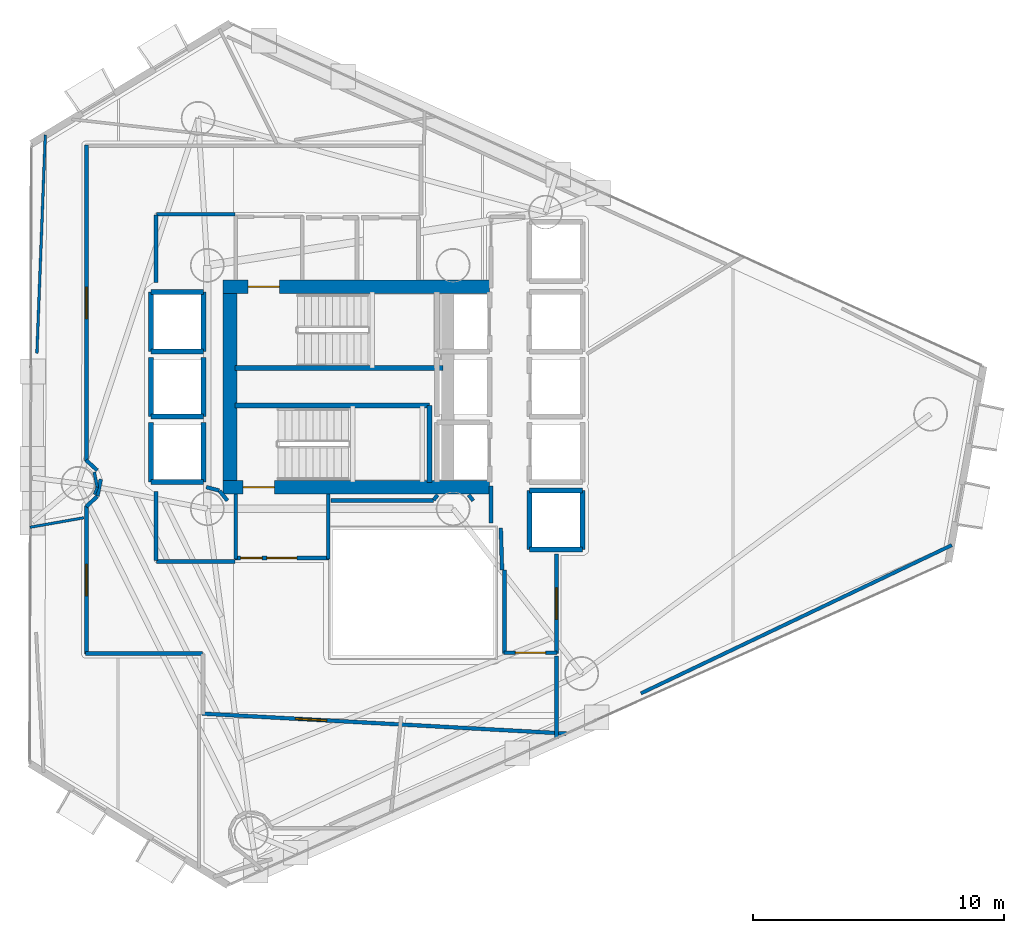
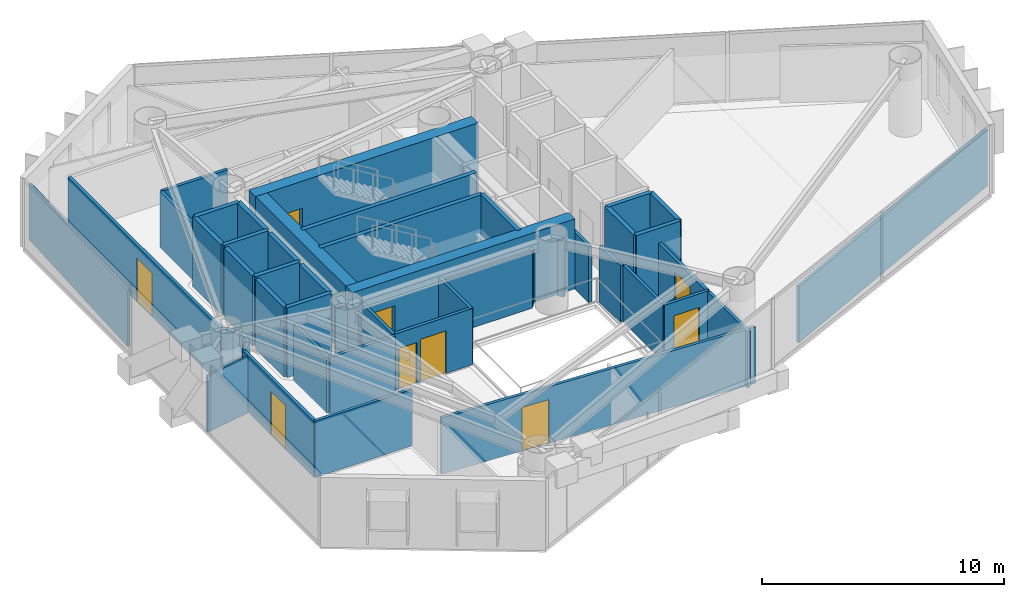
# One storey, part 18 of 23: 50 walls, 9 doors, 9 openings.
"""IFC4 building model written with IfcOpenShell, lengths in metres."""

from ifc_helpers import new_model, si_unit, direction, frame, frame_2d, origin, place, context, subcontext, project, spatial, rectangle, extrude, material, layer, layer_set, type_object, element, fill, save


model = new_model("IFC4")

# Units and contexts
model_context = context("Model", 3, precision=1e-05, world=origin(), true_north=direction((0.0, 1.0)))
body_context = subcontext(model_context, "Body", "Model", "MODEL_VIEW")
ifc_project = project(units=[si_unit("LENGTHUNIT", "METRE"), si_unit("AREAUNIT", "SQUARE_METRE"), si_unit("VOLUMEUNIT", "CUBIC_METRE"), si_unit("PLANEANGLEUNIT", "RADIAN"), si_unit("MASSUNIT", "GRAM", prefix="KILO")], contexts=[model_context])

# Site, building, storey
site_placement = place(None, origin())
site = spatial("IfcSite", under=ifc_project, at=site_placement, CompositionType="ELEMENT")
building_placement = place(site_placement, origin())
building = spatial("IfcBuilding", under=site, at=building_placement, Name="Qianvela Tower", CompositionType="ELEMENT")
storey_placement = place(building_placement, frame((0.0, 0.0, 147.60009765625)))
storey = spatial("IfcBuildingStorey", under=building, at=storey_placement, Name="L37", CompositionType="ELEMENT", Elevation=147.60009765625)

# Wall, opening, door
ifc_material_1 = material(Name="Concrete C60", Category="concrete")
ifc_layer_1 = layer(ifc_material_1, 0.550048828125)
ifc_layer_set_1 = layer_set([ifc_layer_1], Name="Concrete C60")
wall_type_1 = type_object("IfcWallType", Name="WT-CORE-550", PredefinedType="SHEAR", material=ifc_layer_set_1)
wall_1_placement = place(storey_placement, frame((29.22998046875, 32.695068359375, 0.0), z_axis=(0.0, 0.0, 1.0), x_axis=(1.0, 0.0, 0.0)))
wall_1 = element("IfcWall", 1, at=wall_1_placement, inside=storey, type_object=wall_type_1, Name="L37 North Core Shear Wall", PredefinedType="SHEAR", context=body_context, shape_type="SweptSolid", body=[
    extrude(rectangle(XDim=10.6201171875, YDim=0.550048828125, at=frame_2d((5.31005859375, 0.0))), origin(), (0.0, 0.0, 1.0), 3.52001953125),
])
opening_1_placement = place(wall_1_placement, frame((0.9951171875, 0.0, 0.0)))
opening_1 = element("IfcOpeningElement", 2, at=opening_1_placement, cuts=wall_1, Name="Opening D-ST1", PredefinedType="OPENING", context=body_context, shape_type="SweptSolid", body=[
    extrude(rectangle(XDim=1.25, YDim=2.14990234375, at=frame_2d((0.625, 1.074951171875))), frame((0.0, 0.284912109375, 0.0), z_axis=(0.0, -1.0, 0.0), x_axis=(1.0, 0.0, 0.0)), (0.0, 0.0, 1.0), 0.570068359375),
])
ifc_material_2 = material(Name="Galvanised Fire Steel Q355B", Category="steel")
door_type_1 = type_object("IfcDoorType", Name="DT-STAIR-FD90", OperationType="NOTDEFINED", PredefinedType="DOOR", material=ifc_material_2)
door_1_placement = place(opening_1_placement, origin())
door_1 = element("IfcDoor", 3, at=door_1_placement, inside=storey, type_object=door_type_1, Name="L37 Stair ST-1 Exit Door", OperationType="SINGLE_SWING_RIGHT", OverallHeight=2.14990234375, OverallWidth=1.25, PredefinedType="DOOR", context=body_context, shape_type="SweptSolid", body=[
    extrude(rectangle(XDim=1.25, YDim=2.14990234375, at=frame_2d((0.625, 1.074951171875))), frame((0.0, 0.02490234375, 0.0), z_axis=(0.0, -1.0, 0.0), x_axis=(1.0, 0.0, 0.0)), (0.0, 0.0, 1.0), 0.050048828125),
])
fill(opening_1, door_1)

wall_2_placement = place(storey_placement, frame((29.22998046875, 24.705078125, 0.0), z_axis=(0.0, 0.0, 1.0), x_axis=(1.0, 0.0, 0.0)))
wall_2 = element("IfcWall", 4, at=wall_2_placement, inside=storey, type_object=wall_type_1, Name="L37 South Core Shear Wall", PredefinedType="SHEAR", context=body_context, shape_type="SweptSolid", body=[
    extrude(rectangle(XDim=10.6201171875, YDim=0.550048828125, at=frame_2d((5.31005859375, 0.0))), origin(), (0.0, 0.0, 1.0), 3.52001953125),
])
opening_2_placement = place(wall_2_placement, frame((0.794921875, 0.0, 0.0)))
opening_2 = element("IfcOpeningElement", 5, at=opening_2_placement, cuts=wall_2, Name="Opening D-ST1", PredefinedType="OPENING", context=body_context, shape_type="SweptSolid", body=[
    extrude(rectangle(XDim=1.25, YDim=2.14990234375, at=frame_2d((0.625, 1.074951171875))), frame((0.0, 0.284912109375, 0.0), z_axis=(0.0, -1.0, 0.0), x_axis=(1.0, 0.0, 0.0)), (0.0, 0.0, 1.0), 0.570068359375),
])
door_2_placement = place(opening_2_placement, origin())
door_2 = element("IfcDoor", 6, at=door_2_placement, inside=storey, type_object=door_type_1, Name="L37 Stair ST-2 Exit Door", OperationType="SINGLE_SWING_LEFT", OverallHeight=2.14990234375, OverallWidth=1.25, PredefinedType="DOOR", context=body_context, shape_type="SweptSolid", body=[
    extrude(rectangle(XDim=1.25, YDim=2.14990234375, at=frame_2d((0.625, 1.074951171875))), frame((0.0, 0.02490234375, 0.0), z_axis=(0.0, -1.0, 0.0), x_axis=(1.0, 0.0, 0.0)), (0.0, 0.0, 1.0), 0.050048828125),
])
fill(opening_2, door_2)

# Wall
wall_3_placement = place(storey_placement, frame((29.5048828125, 24.97998046875, 0.0), z_axis=(0.0, 0.0, 1.0), x_axis=(0.0, 1.0, 0.0)))
element("IfcWall", 7, at=wall_3_placement, inside=storey, type_object=wall_type_1, Name="L37 West Core Shear Wall", PredefinedType="SHEAR", context=body_context, shape_type="SweptSolid", body=[
    extrude(rectangle(XDim=7.43994140625, YDim=0.550048828125, at=frame_2d((3.719970703125, 0.0))), origin(), (0.0, 0.0, 1.0), 3.52001953125),
])

# Wall, openings, doors
ifc_material_3 = material(Name="Fire-Rated Acoustic Gypsum Board")
ifc_layer_2 = layer(ifc_material_3, 0.14990234375)
ifc_layer_set_2 = layer_set([ifc_layer_2], Name="Fire-Rated Acoustic Gypsum Board")
wall_type_2 = type_object("IfcWallType", Name="WT-CORR-150", PredefinedType="PARTITIONING", material=ifc_layer_set_2)
wall_4_placement = place(storey_placement, frame((33.449951171875, 21.881103515625, 0.0), z_axis=(0.0, 0.0, 1.0), x_axis=(-1.0, 0.0, 0.0)))
wall_4 = element("IfcWall", 8, at=wall_4_placement, inside=storey, type_object=wall_type_2, Name="L37 Partition 5", PredefinedType="PARTITIONING", context=body_context, shape_type="SweptSolid", body=[
    extrude(rectangle(XDim=3.75, YDim=0.14990234375, at=frame_2d((1.875, 0.0))), origin(), (0.0, 0.0, 1.0), 2.83984375),
])
opening_3_placement = place(wall_4_placement, frame((1.27490234375, 0.0, 0.0)))
opening_3 = element("IfcOpeningElement", 9, at=opening_3_placement, cuts=wall_4, Name="Opening D-LB1", PredefinedType="OPENING", context=body_context, shape_type="SweptSolid", body=[
    extrude(rectangle(XDim=1.199951171875, YDim=2.14990234375, at=frame_2d((0.60009765625, 1.074951171875))), frame((0.0, 0.0849609375, 0.0), z_axis=(0.0, -1.0, 0.0), x_axis=(1.0, 0.0, 0.0)), (0.0, 0.0, 1.0), 0.169921875),
])
opening_4_placement = place(wall_4_placement, frame((2.659912109375, 0.0, 0.0)))
opening_4 = element("IfcOpeningElement", 10, at=opening_4_placement, cuts=wall_4, Name="Opening D-LB2", PredefinedType="OPENING", context=body_context, shape_type="SweptSolid", body=[
    extrude(rectangle(XDim=0.860107421875, YDim=2.050048828125, at=frame_2d((0.43017578125, 1.02490234375))), frame((0.0, 0.0849609375, 0.0), z_axis=(0.0, -1.0, 0.0), x_axis=(1.0, 0.0, 0.0)), (0.0, 0.0, 1.0), 0.169921875),
])
ifc_material_4 = material(Name="Glazed Fire-Rated Steel Frame", Category="steel")
door_type_2 = type_object("IfcDoorType", Name="DT-LOBBY-FD90", OperationType="NOTDEFINED", PredefinedType="DOOR", material=ifc_material_4)
door_3_placement = place(opening_3_placement, origin())
door_3 = element("IfcDoor", 11, at=door_3_placement, inside=storey, type_object=door_type_2, Name="L37 Door L37 Firefighting Lobby South to L37 Floor Corridor", OperationType="SINGLE_SWING_RIGHT", OverallHeight=2.14990234375, OverallWidth=1.199951171875, PredefinedType="DOOR", context=body_context, shape_type="SweptSolid", body=[
    extrude(rectangle(XDim=1.199951171875, YDim=2.14990234375, at=frame_2d((0.60009765625, 1.074951171875))), frame((0.0, 0.02490234375, 0.0), z_axis=(0.0, -1.0, 0.0), x_axis=(1.0, 0.0, 0.0)), (0.0, 0.0, 1.0), 0.050048828125),
])
fill(opening_3, door_3)
ifc_material_5 = material(Name="Insulated Steel Fire Door Q355B", Category="steel")
door_type_3 = type_object("IfcDoorType", Name="DT-LOBBY-FD90-860", OperationType="NOTDEFINED", PredefinedType="DOOR", material=ifc_material_5)
door_4_placement = place(opening_4_placement, origin())
door_4 = element("IfcDoor", 12, at=door_4_placement, inside=storey, type_object=door_type_3, Name="L37 Door L37 Firefighting Lobby South to L37 Floor Corridor", OperationType="SINGLE_SWING_LEFT", OverallHeight=2.050048828125, OverallWidth=0.860107421875, PredefinedType="DOOR", context=body_context, shape_type="SweptSolid", body=[
    extrude(rectangle(XDim=0.860107421875, YDim=2.050048828125, at=frame_2d((0.43017578125, 1.02490234375))), frame((0.0, 0.02490234375, 0.0), z_axis=(0.0, -1.0, 0.0), x_axis=(1.0, 0.0, 0.0)), (0.0, 0.0, 1.0), 0.050048828125),
])
fill(opening_4, door_4)

# Walls
for number, where, z_axis, x_axis, name in (
    (13, (29.73095703125, 21.85009765625, 0.0), (0.0, 0.0, 1.0), (0.0, 1.0, 0.0), "L37 Partition 6"),
    (14, (33.4189453125, 24.44189453125, 0.0), (0.0, 0.0, 1.0), (0.0, -1.0, 0.0), "L37 Partition 8"),
):
    element("IfcWall", number, at=place(storey_placement, frame(where, z_axis=z_axis, x_axis=x_axis)), inside=storey, type_object=wall_type_2, Name=name, PredefinedType="PARTITIONING", context=body_context, shape_type="SweptSolid", body=[
        extrude(rectangle(XDim=2.591796875, YDim=0.14990234375, at=frame_2d((1.2958984375, 0.0))), origin(), (0.0, 0.0, 1.0), 2.83984375),
    ])
wall_5_placement = place(storey_placement, frame((40.35107421875, 21.40087890625, 0.0), z_axis=(0.0, 0.0, 1.0), x_axis=(-0.031058045979, 0.999517582527, 0.0)))
element("IfcWall", 15, at=wall_5_placement, inside=storey, type_object=wall_type_2, Name="L37 Partition 9", PredefinedType="PARTITIONING", context=body_context, shape_type="SweptSolid", body=[
    extrude(rectangle(XDim=1.68212890625, YDim=0.14990234375, at=frame_2d((0.841064453125, 0.0))), origin(), (0.0, 0.0, 1.0), 2.83984375),
])
wall_6_placement = place(storey_placement, frame((39.910888671875, 23.280029296875, 0.0), z_axis=(0.0, 0.0, 1.0), x_axis=(0.0, 1.0, 0.0)))
element("IfcWall", 16, at=wall_6_placement, inside=storey, type_object=wall_type_2, Name="L37 Partition 10", PredefinedType="PARTITIONING", context=body_context, shape_type="SweptSolid", body=[
    extrude(rectangle(XDim=1.47998046875, YDim=0.14990234375, at=frame_2d((0.739990234375, 0.0))), origin(), (0.0, 0.0, 1.0), 2.83984375),
])

# Wall, opening, door
wall_7_placement = place(storey_placement, frame((42.51904296875, 22.050048828125, 0.0), z_axis=(0.0, 0.0, 1.0), x_axis=(0.0, -1.0, 0.0)))
wall_7 = element("IfcWall", 17, at=wall_7_placement, inside=storey, type_object=wall_type_2, Name="L37 Partition 17", PredefinedType="PARTITIONING", context=body_context, shape_type="SweptSolid", body=[
    extrude(rectangle(XDim=3.969970703125, YDim=0.14990234375, at=frame_2d((1.98486328125, 0.0))), origin(), (0.0, 0.0, 1.0), 2.83984375),
])
opening_5_placement = place(wall_7_placement, frame((1.360107421875, 0.0, 0.0)))
opening_5 = element("IfcOpeningElement", 18, at=opening_5_placement, cuts=wall_7, Name="Opening D-LG1", PredefinedType="OPENING", context=body_context, shape_type="SweptSolid", body=[
    extrude(rectangle(XDim=1.25, YDim=2.199951171875, at=frame_2d((0.625, 1.10009765625))), frame((0.0, 0.0849609375, 0.0), z_axis=(0.0, -1.0, 0.0), x_axis=(1.0, 0.0, 0.0)), (0.0, 0.0, 1.0), 0.169921875),
])
ifc_material_6 = material(Name="Anodised Aluminium Acoustic Glass Door", Category="aluminium")
door_type_4 = type_object("IfcDoorType", Name="DT-LOUNGE-1250", OperationType="NOTDEFINED", PredefinedType="DOOR", material=ifc_material_6)
door_5_placement = place(opening_5_placement, origin())
door_5 = element("IfcDoor", 19, at=door_5_placement, inside=storey, type_object=door_type_4, Name="L37 Door Maker Craft Workshop L37-03 to L37 Lift Lobby", OperationType="SINGLE_SWING_RIGHT", OverallHeight=2.199951171875, OverallWidth=1.25, PredefinedType="DOOR", context=body_context, shape_type="SweptSolid", body=[
    extrude(rectangle(XDim=1.25, YDim=2.199951171875, at=frame_2d((0.625, 1.10009765625))), frame((0.0, 0.02490234375, 0.0), z_axis=(0.0, -1.0, 0.0), x_axis=(1.0, 0.0, 0.0)), (0.0, 0.0, 1.0), 0.050048828125),
])
fill(opening_5, door_5)

wall_8_placement = place(storey_placement, frame((42.550048828125, 18.111083984375, 0.0), z_axis=(0.0, 0.0, 1.0), x_axis=(-1.0, 0.0, 0.0)))
wall_8 = element("IfcWall", 20, at=wall_8_placement, inside=storey, type_object=wall_type_2, Name="L37 Partition 18", PredefinedType="PARTITIONING", context=body_context, shape_type="SweptSolid", body=[
    extrude(rectangle(XDim=2.130126953125, YDim=0.14990234375, at=frame_2d((1.06494140625, 0.0))), origin(), (0.0, 0.0, 1.0), 2.83984375),
])
opening_6_placement = place(wall_8_placement, frame((0.465087890625, 0.0, 0.0)))
opening_6 = element("IfcOpeningElement", 21, at=opening_6_placement, cuts=wall_8, Name="Opening D-LB1", PredefinedType="OPENING", context=body_context, shape_type="SweptSolid", body=[
    extrude(rectangle(XDim=1.199951171875, YDim=2.14990234375, at=frame_2d((0.60009765625, 1.074951171875))), frame((0.0, 0.0849609375, 0.0), z_axis=(0.0, -1.0, 0.0), x_axis=(1.0, 0.0, 0.0)), (0.0, 0.0, 1.0), 0.169921875),
])
door_6_placement = place(opening_6_placement, origin())
door_6 = element("IfcDoor", 22, at=door_6_placement, inside=storey, type_object=door_type_2, Name="L37 Door L37 Lift Lobby to L37 Floor Corridor", OperationType="SINGLE_SWING_LEFT", OverallHeight=2.14990234375, OverallWidth=1.199951171875, PredefinedType="DOOR", context=body_context, shape_type="SweptSolid", body=[
    extrude(rectangle(XDim=1.199951171875, YDim=2.14990234375, at=frame_2d((0.60009765625, 1.074951171875))), frame((0.0, 0.02490234375, 0.0), z_axis=(0.0, -1.0, 0.0), x_axis=(1.0, 0.0, 0.0)), (0.0, 0.0, 1.0), 0.050048828125),
])
fill(opening_6, door_6)

# Walls
wall_9_placement = place(storey_placement, frame((40.450927734375, 18.080078125, 0.0), z_axis=(0.0, 0.0, 1.0), x_axis=(0.0, 1.0, 0.0)))
element("IfcWall", 23, at=wall_9_placement, inside=storey, type_object=wall_type_2, Name="L37 Partition 19 seg 1", PredefinedType="PARTITIONING", context=body_context, shape_type="SweptSolid", body=[
    extrude(rectangle(XDim=3.31982421875, YDim=0.14990234375, at=frame_2d((1.659912109375, 0.0))), origin(), (0.0, 0.0, 1.0), 2.83984375),
])
wall_10_placement = place(storey_placement, frame((29.401611328125, 24.169189453125, 0.0), z_axis=(0.0, 0.0, 1.0), x_axis=(-0.622091855036, 0.782944266151, 0.0)))
element("IfcWall", 24, at=wall_10_placement, inside=storey, type_object=wall_type_2, Name="L37 Partition 32", PredefinedType="PARTITIONING", context=body_context, shape_type="SweptSolid", body=[
    extrude(rectangle(XDim=0.50390625, YDim=0.14990234375, at=frame_2d((0.251953125, 0.0))), origin(), (0.0, 0.0, 1.0), 2.83984375),
])
wall_11_placement = place(storey_placement, frame((29.07177734375, 24.57421875, 0.0), z_axis=(0.0, 0.0, 1.0), x_axis=(-0.966842101769, 0.255374920942, 0.0)))
element("IfcWall", 25, at=wall_11_placement, inside=storey, type_object=wall_type_2, Name="L37 Partition 33", PredefinedType="PARTITIONING", context=body_context, shape_type="SweptSolid", body=[
    extrude(rectangle(XDim=0.531494140625, YDim=0.14990234375, at=frame_2d((0.265625, 0.0))), origin(), (0.0, 0.0, 1.0), 2.83984375),
])
wall_12_placement = place(storey_placement, frame((39.20166015625, 24.169189453125, 0.0), z_axis=(0.0, 0.0, 1.0), x_axis=(-0.622453876994, 0.782656483405, 0.0)))
element("IfcWall", 26, at=wall_12_placement, inside=storey, type_object=wall_type_2, Name="L37 Partition 39", PredefinedType="PARTITIONING", context=body_context, shape_type="SweptSolid", body=[
    extrude(rectangle(XDim=0.29248046875, YDim=0.14990234375, at=frame_2d((0.146240234375, 0.0))), origin(), (0.0, 0.0, 1.0), 2.83984375),
])
wall_13_placement = place(storey_placement, frame((37.780517578125, 24.398193359375, 0.0), z_axis=(0.0, 0.0, 1.0), x_axis=(-0.622697708845, -0.782462499676, 0.0)))
element("IfcWall", 27, at=wall_13_placement, inside=storey, type_object=wall_type_2, Name="L37 Partition 42", PredefinedType="PARTITIONING", context=body_context, shape_type="SweptSolid", body=[
    extrude(rectangle(XDim=0.253662109375, YDim=0.14990234375, at=frame_2d((0.126953125, 0.0))), origin(), (0.0, 0.0, 1.0), 2.83984375),
])
wall_14_placement = place(storey_placement, frame((37.62255859375, 24.180908203125, 0.0), z_axis=(0.0, 0.0, 1.0), x_axis=(-1.0, 0.0, 0.0)))
element("IfcWall", 28, at=wall_14_placement, inside=storey, type_object=wall_type_2, Name="L37 Partition 43", PredefinedType="PARTITIONING", context=body_context, shape_type="SweptSolid", body=[
    extrude(rectangle(XDim=4.092529296875, YDim=0.14990234375, at=frame_2d((2.04638671875, 0.0))), origin(), (0.0, 0.0, 1.0), 2.83984375),
])
wall_15_placement = place(storey_placement, frame((24.211181640625, 25.37890625, 0.0), z_axis=(0.0, 0.0, 1.0), x_axis=(-0.735475561179, 0.677551251868, 0.0)))
element("IfcWall", 29, at=wall_15_placement, inside=storey, type_object=wall_type_2, Name="L37 Partition 44", PredefinedType="PARTITIONING", context=body_context, shape_type="SweptSolid", body=[
    extrude(rectangle(XDim=0.598388671875, YDim=0.14990234375, at=frame_2d((0.29931640625, 0.0))), origin(), (0.0, 0.0, 1.0), 2.83984375),
])

# Wall, opening, door
wall_16_placement = place(storey_placement, frame((23.781005859375, 25.76171875, 0.0), z_axis=(0.0, 0.0, 1.0), x_axis=(0.0, 1.0, 0.0)))
wall_16 = element("IfcWall", 30, at=wall_16_placement, inside=storey, type_object=wall_type_2, Name="L37 Partition 45", PredefinedType="PARTITIONING", context=body_context, shape_type="SweptSolid", body=[
    extrude(rectangle(XDim=12.58837890625, YDim=0.14990234375, at=frame_2d((6.294189453125, 0.0))), origin(), (0.0, 0.0, 1.0), 2.83984375),
])
opening_7_placement = place(wall_16_placement, frame((5.669189453125, 0.0, 0.0)))
opening_7 = element("IfcOpeningElement", 31, at=opening_7_placement, cuts=wall_16, Name="Opening D-LG1", PredefinedType="OPENING", context=body_context, shape_type="SweptSolid", body=[
    extrude(rectangle(XDim=1.25, YDim=2.199951171875, at=frame_2d((0.625, 1.10009765625))), frame((0.0, 0.0849609375, 0.0), z_axis=(0.0, -1.0, 0.0), x_axis=(1.0, 0.0, 0.0)), (0.0, 0.0, 1.0), 0.169921875),
])
door_7_placement = place(opening_7_placement, origin())
door_7 = element("IfcDoor", 32, at=door_7_placement, inside=storey, type_object=door_type_4, Name="L37 Door Student Bookshop Market L37-04 to L37 Floor Corridor", OperationType="SINGLE_SWING_LEFT", OverallHeight=2.199951171875, OverallWidth=1.25, PredefinedType="DOOR", context=body_context, shape_type="SweptSolid", body=[
    extrude(rectangle(XDim=1.25, YDim=2.199951171875, at=frame_2d((0.625, 1.10009765625))), frame((0.0, 0.02490234375, 0.0), z_axis=(0.0, -1.0, 0.0), x_axis=(1.0, 0.0, 0.0)), (0.0, 0.0, 1.0), 0.050048828125),
])
fill(opening_7, door_7)

# Walls
wall_17_placement = place(storey_placement, frame((29.699951171875, 35.591064453125, 0.0), z_axis=(0.0, 0.0, 1.0), x_axis=(-1.0, 0.0, 0.0)))
element("IfcWall", 33, at=wall_17_placement, inside=storey, type_object=wall_type_2, Name="L37 Partition 48 seg 4", PredefinedType="PARTITIONING", context=body_context, shape_type="SweptSolid", body=[
    extrude(rectangle(XDim=3.119873046875, YDim=0.14990234375, at=frame_2d((1.56005859375, 0.0))), origin(), (0.0, 0.0, 1.0), 2.83984375),
])
wall_18_placement = place(storey_placement, frame((26.549072265625, 35.56005859375, 0.0), z_axis=(0.0, 0.0, 1.0), x_axis=(0.0, -1.0, 0.0)))
element("IfcWall", 34, at=wall_18_placement, inside=storey, type_object=wall_type_2, Name="L37 Partition 49", PredefinedType="PARTITIONING", context=body_context, shape_type="SweptSolid", body=[
    extrude(rectangle(XDim=2.693115234375, YDim=0.14990234375, at=frame_2d((1.3466796875, 0.0))), origin(), (0.0, 0.0, 1.0), 2.83984375),
])
wall_19_placement = place(storey_placement, frame((26.549072265625, 24.533203125, 0.0), z_axis=(0.0, 0.0, 1.0), x_axis=(0.0, -1.0, 0.0)))
element("IfcWall", 35, at=wall_19_placement, inside=storey, type_object=wall_type_2, Name="L37 Partition 51", PredefinedType="PARTITIONING", context=body_context, shape_type="SweptSolid", body=[
    extrude(rectangle(XDim=2.753173828125, YDim=0.14990234375, at=frame_2d((1.37646484375, 0.0))), origin(), (0.0, 0.0, 1.0), 2.83984375),
])
wall_20_placement = place(storey_placement, frame((26.580078125, 21.7490234375, 0.0), z_axis=(0.0, 0.0, 1.0), x_axis=(1.0, 0.0, 0.0)))
element("IfcWall", 36, at=wall_20_placement, inside=storey, type_object=wall_type_2, Name="L37 Partition 52 seg 1", PredefinedType="PARTITIONING", context=body_context, shape_type="SweptSolid", body=[
    extrude(rectangle(XDim=3.119873046875, YDim=0.14990234375, at=frame_2d((1.56005859375, 0.0))), origin(), (0.0, 0.0, 1.0), 2.83984375),
])
wall_21_placement = place(storey_placement, frame((42.51904296875, 17.97998046875, 0.0), z_axis=(0.0, 0.0, 1.0), x_axis=(0.0, -1.0, 0.0)))
element("IfcWall", 37, at=wall_21_placement, inside=storey, type_object=wall_type_2, Name="L37 Partition 54 seg 1", PredefinedType="PARTITIONING", context=body_context, shape_type="SweptSolid", body=[
    extrude(rectangle(XDim=3.28759765625, YDim=0.14990234375, at=frame_2d((1.643798828125, 0.0))), origin(), (0.0, 0.0, 1.0), 2.83984375),
])

# Wall, opening, door
wall_22_placement = place(storey_placement, frame((42.906982421875, 14.88671875, 0.0), z_axis=(0.0, 0.0, 1.0), x_axis=(-0.99850485481, 0.05466310383, 0.0)))
wall_22 = element("IfcWall", 38, at=wall_22_placement, inside=storey, type_object=wall_type_2, Name="L37 Partition 55", PredefinedType="PARTITIONING", context=body_context, shape_type="SweptSolid", body=[
    extrude(rectangle(XDim=14.52880859375, YDim=0.14990234375, at=frame_2d((7.264404296875, 0.0))), origin(), (0.0, 0.0, 1.0), 2.83984375),
])
opening_8_placement = place(wall_22_placement, frame((9.558349609375, 0.0, 0.0)))
opening_8 = element("IfcOpeningElement", 39, at=opening_8_placement, cuts=wall_22, Name="Opening D-LG1", PredefinedType="OPENING", context=body_context, shape_type="SweptSolid", body=[
    extrude(rectangle(XDim=1.25, YDim=2.199951171875, at=frame_2d((0.625, 1.10009765625))), frame((0.0, 0.0849609375, 0.0), z_axis=(0.0, -1.0, 0.0), x_axis=(1.0, 0.0, 0.0)), (0.0, 0.0, 1.0), 0.169921875),
])
door_8_placement = place(opening_8_placement, origin())
door_8 = element("IfcDoor", 40, at=door_8_placement, inside=storey, type_object=door_type_4, Name="L37 Door Student Fitness Gym L37-02 to L37 Floor Corridor", OperationType="SINGLE_SWING_LEFT", OverallHeight=2.199951171875, OverallWidth=1.25, PredefinedType="DOOR", context=body_context, shape_type="SweptSolid", body=[
    extrude(rectangle(XDim=1.25, YDim=2.199951171875, at=frame_2d((0.625, 1.10009765625))), frame((0.0, 0.02490234375, 0.0), z_axis=(0.0, -1.0, 0.0), x_axis=(1.0, 0.0, 0.0)), (0.0, 0.0, 1.0), 0.050048828125),
])
fill(opening_8, door_8)

# Wall
wall_23_placement = place(storey_placement, frame((28.39990234375, 18.0810546875, 0.0), z_axis=(0.0, 0.0, 1.0), x_axis=(-1.0, 0.0, 0.0)))
element("IfcWall", 41, at=wall_23_placement, inside=storey, type_object=wall_type_2, Name="L37 Partition 57", PredefinedType="PARTITIONING", context=body_context, shape_type="SweptSolid", body=[
    extrude(rectangle(XDim=4.64990234375, YDim=0.14990234375, at=frame_2d((2.324951171875, 0.0))), origin(), (0.0, 0.0, 1.0), 2.83984375),
])

# Wall, opening, door
wall_24_placement = place(storey_placement, frame((23.781005859375, 18.050048828125, 0.0), z_axis=(0.0, 0.0, 1.0), x_axis=(0.0, 1.0, 0.0)))
wall_24 = element("IfcWall", 42, at=wall_24_placement, inside=storey, type_object=wall_type_2, Name="L37 Partition 58", PredefinedType="PARTITIONING", context=body_context, shape_type="SweptSolid", body=[
    extrude(rectangle(XDim=5.90625, YDim=0.14990234375, at=frame_2d((2.953125, 0.0))), origin(), (0.0, 0.0, 1.0), 2.83984375),
])
opening_9_placement = place(wall_24_placement, frame((2.328125, 0.0, 0.0)))
opening_9 = element("IfcOpeningElement", 43, at=opening_9_placement, cuts=wall_24, Name="Opening D-LG1", PredefinedType="OPENING", context=body_context, shape_type="SweptSolid", body=[
    extrude(rectangle(XDim=1.25, YDim=2.199951171875, at=frame_2d((0.625, 1.10009765625))), frame((0.0, 0.0849609375, 0.0), z_axis=(0.0, -1.0, 0.0), x_axis=(1.0, 0.0, 0.0)), (0.0, 0.0, 1.0), 0.169921875),
])
door_9_placement = place(opening_9_placement, origin())
door_9 = element("IfcDoor", 44, at=door_9_placement, inside=storey, type_object=door_type_4, Name="L37 Door Media Practice Cinema L37-01 to L37 Floor Corridor", OperationType="SINGLE_SWING_RIGHT", OverallHeight=2.199951171875, OverallWidth=1.25, PredefinedType="DOOR", context=body_context, shape_type="SweptSolid", body=[
    extrude(rectangle(XDim=1.25, YDim=2.199951171875, at=frame_2d((0.625, 1.10009765625))), frame((0.0, 0.02490234375, 0.0), z_axis=(0.0, -1.0, 0.0), x_axis=(1.0, 0.0, 0.0)), (0.0, 0.0, 1.0), 0.050048828125),
])
fill(opening_9, door_9)

# Walls
wall_25_placement = place(storey_placement, frame((23.77099609375, 23.93359375, 0.0), z_axis=(0.0, 0.0, 1.0), x_axis=(0.735475561179, 0.677551251868, 0.0)))
element("IfcWall", 45, at=wall_25_placement, inside=storey, type_object=wall_type_2, Name="L37 Partition 59", PredefinedType="PARTITIONING", context=body_context, shape_type="SweptSolid", body=[
    extrude(rectangle(XDim=0.598388671875, YDim=0.14990234375, at=frame_2d((0.29931640625, 0.0))), origin(), (0.0, 0.0, 1.0), 2.83984375),
])
wall_26_placement = place(storey_placement, frame((24.220703125, 24.355712890625, 0.0), z_axis=(0.0, 0.0, 1.0), x_axis=(0.19495084259, 0.980813014276, 0.0)))
element("IfcWall", 46, at=wall_26_placement, inside=storey, type_object=wall_type_2, Name="L37 Partition 60", PredefinedType="PARTITIONING", context=body_context, shape_type="SweptSolid", body=[
    extrude(rectangle(XDim=0.68505859375, YDim=0.14990234375, at=frame_2d((0.342529296875, 0.0))), origin(), (0.0, 0.0, 1.0), 2.83984375),
])
ifc_material_7 = material(Name="Lightweight Gypsum Room Partition")
ifc_layer_3 = layer(ifc_material_7, 0.10498046875)
ifc_layer_set_3 = layer_set([ifc_layer_3], Name="Lightweight Gypsum Room Partition")
wall_type_3 = type_object("IfcWallType", Name="WT-PART-105", PredefinedType="PARTITIONING", material=ifc_layer_set_3)
wall_27_placement = place(storey_placement, frame((21.52734375, 23.109375, 0.0), z_axis=(0.0, 0.0, 1.0), x_axis=(0.984794825265, 0.17372147861, 0.0)))
element("IfcWall", 47, at=wall_27_placement, inside=storey, type_object=wall_type_3, Name="L37 Partition 66", PredefinedType="PARTITIONING", context=body_context, shape_type="SweptSolid", body=[
    extrude(rectangle(XDim=2.18115234375, YDim=0.10498046875, at=frame_2d((1.090576171875, 0.0))), origin(), (0.0, 0.0, 1.0), 2.83984375),
])
wall_28_placement = place(storey_placement, frame((24.215087890625, 24.712158203125, 0.0), z_axis=(0.0, 0.0, 1.0), x_axis=(-0.382033010029, -0.924148678108, 0.0)))
element("IfcWall", 48, at=wall_28_placement, inside=storey, type_object=wall_type_3, Name="L37 Partition 99", PredefinedType="PARTITIONING", context=body_context, shape_type="SweptSolid", body=[
    extrude(rectangle(XDim=0.315673828125, YDim=0.10498046875, at=frame_2d((0.15771484375, 0.0))), origin(), (0.0, 0.0, 1.0), 2.83984375),
])
wall_29_placement = place(storey_placement, frame((21.806396484375, 30.046630859375, 0.0), z_axis=(0.0, 0.0, 1.0), x_axis=(0.03845571095, 0.999260305574, 0.0)))
element("IfcWall", 49, at=wall_29_placement, inside=storey, type_object=wall_type_3, Name="L37 Partition 102 seg 2", PredefinedType="PARTITIONING", context=body_context, shape_type="SweptSolid", body=[
    extrude(rectangle(XDim=8.716552734375, YDim=0.10498046875, at=frame_2d((4.3583984375, 0.0))), origin(), (0.0, 0.0, 1.0), 2.83984375),
])
ifc_material_8 = material(Name="Insulated Gypsum Stud Partition")
ifc_layer_4 = layer(ifc_material_8, 0.1201171875)
ifc_layer_set_4 = layer_set([ifc_layer_4], Name="Insulated Gypsum Stud Partition")
wall_type_4 = type_object("IfcWallType", Name="WT-PART-120", PredefinedType="PARTITIONING", material=ifc_layer_set_4)
wall_30_placement = place(storey_placement, frame((24.09033203125, 25.30859375, 0.0), z_axis=(0.0, 0.0, 1.0), x_axis=(0.196340879162, -0.9805357001, 0.0)))
element("IfcWall", 50, at=wall_30_placement, inside=storey, type_object=wall_type_4, Name="L37 Partition 98", PredefinedType="PARTITIONING", context=body_context, shape_type="SweptSolid", body=[
    extrude(rectangle(XDim=0.626708984375, YDim=0.1201171875, at=frame_2d((0.3134765625, 0.0))), origin(), (0.0, 0.0, 1.0), 2.83984375),
])
ifc_material_9 = material(Name="Acoustic Double Gypsum Stud Partition")
ifc_layer_5 = layer(ifc_material_9, 0.139892578125)
ifc_layer_set_5 = layer_set([ifc_layer_5], Name="Acoustic Double Gypsum Stud Partition")
wall_type_5 = type_object("IfcWallType", Name="WT-ROOM-140", PredefinedType="PARTITIONING", material=ifc_layer_set_5)
wall_31_placement = place(storey_placement, frame((58.281494140625, 22.398193359375, 0.0), z_axis=(0.0, 0.0, 1.0), x_axis=(-0.902649705073, -0.430376009939, 0.0)))
element("IfcWall", 51, at=wall_31_placement, inside=storey, type_object=wall_type_5, Name="L37 Partition 85 seg 1", PredefinedType="PARTITIONING", context=body_context, shape_type="SweptSolid", body=[
    extrude(rectangle(XDim=13.728515625, YDim=0.139892578125, at=frame_2d((6.8642578125, 0.0))), origin(), (0.0, 0.0, 1.0), 2.83984375),
])
ifc_material_10 = material(Name="Concrete C50", Category="concrete")
ifc_layer_6 = layer(ifc_material_10, 0.199951171875)
ifc_layer_set_6 = layer_set([ifc_layer_6], Name="Concrete C50")
wall_type_6 = type_object("IfcWallType", Name="WT-SHAFT-200", PredefinedType="SOLIDWALL", material=ifc_layer_set_6)
wall_32_placement = place(storey_placement, frame((29.699951171875, 29.449951171875, 0.0), z_axis=(0.0, 0.0, 1.0), x_axis=(1.0, 0.0, 0.0)))
element("IfcWall", 52, at=wall_32_placement, inside=storey, type_object=wall_type_6, Name="L37 Stair ST-1 South Wall", PredefinedType="SOLIDWALL", context=body_context, shape_type="SweptSolid", body=[
    extrude(rectangle(XDim=8.300048828125, YDim=0.199951171875, at=frame_2d((4.14990234375, 0.0))), origin(), (0.0, 0.0, 1.0), 3.52001953125),
])
wall_33_placement = place(storey_placement, frame((29.699951171875, 27.9599609375, 0.0), z_axis=(0.0, 0.0, 1.0), x_axis=(1.0, 0.0, 0.0)))
element("IfcWall", 53, at=wall_33_placement, inside=storey, type_object=wall_type_6, Name="L37 Stair ST-2 North Wall", PredefinedType="SOLIDWALL", context=body_context, shape_type="SweptSolid", body=[
    extrude(rectangle(XDim=7.75, YDim=0.199951171875, at=frame_2d((3.875, 0.0))), origin(), (0.0, 0.0, 1.0), 3.52001953125),
])
wall_34_placement = place(storey_placement, frame((37.449951171875, 24.89990234375, 0.0), z_axis=(0.0, 0.0, 1.0), x_axis=(0.0, 1.0, 0.0)))
element("IfcWall", 54, at=wall_34_placement, inside=storey, type_object=wall_type_6, Name="L37 Stair ST-2 East Wall", PredefinedType="SOLIDWALL", context=body_context, shape_type="SweptSolid", body=[
    extrude(rectangle(XDim=3.06005859375, YDim=0.199951171875, at=frame_2d((1.530029296875, 0.0))), origin(), (0.0, 0.0, 1.0), 3.52001953125),
])
for number, where, z_axis, x_axis, name in (
    (55, (28.449951171875, 30.1201171875, 0.0), (0.0, 0.0, 1.0), (0.0, 1.0, 0.0), "L37 Lift PL-L1 E Shaft Wall"),
    (56, (26.35009765625, 30.1201171875, 0.0), (0.0, 0.0, 1.0), (0.0, 1.0, 0.0), "L37 Lift PL-L1 W Shaft Wall"),
):
    element("IfcWall", number, at=place(storey_placement, frame(where, z_axis=z_axis, x_axis=x_axis)), inside=storey, type_object=wall_type_6, Name=name, PredefinedType="SOLIDWALL", context=body_context, shape_type="SweptSolid", body=[
        extrude(rectangle(XDim=2.35986328125, YDim=0.199951171875, at=frame_2d((1.179931640625, 0.0))), origin(), (0.0, 0.0, 1.0), 3.52001953125),
    ])
for number, where, z_axis, x_axis, name in (
    (57, (26.35009765625, 32.47998046875, 0.0), (0.0, 0.0, 1.0), (1.0, 0.0, 0.0), "L37 Lift PL-L1 N Shaft Wall"),
    (58, (26.35009765625, 30.1201171875, 0.0), (0.0, 0.0, 1.0), (1.0, 0.0, 0.0), "L37 Lift PL-L1 S Shaft Wall"),
):
    element("IfcWall", number, at=place(storey_placement, frame(where, z_axis=z_axis, x_axis=x_axis)), inside=storey, type_object=wall_type_6, Name=name, PredefinedType="SOLIDWALL", context=body_context, shape_type="SweptSolid", body=[
        extrude(rectangle(XDim=2.099853515625, YDim=0.199951171875, at=frame_2d((1.0498046875, 0.0))), origin(), (0.0, 0.0, 1.0), 3.52001953125),
    ])
for number, where, z_axis, x_axis, name in (
    (59, (28.449951171875, 27.52001953125, 0.0), (0.0, 0.0, 1.0), (0.0, 1.0, 0.0), "L37 Lift PL-L2 E Shaft Wall"),
    (60, (26.35009765625, 27.52001953125, 0.0), (0.0, 0.0, 1.0), (0.0, 1.0, 0.0), "L37 Lift PL-L2 W Shaft Wall"),
):
    element("IfcWall", number, at=place(storey_placement, frame(where, z_axis=z_axis, x_axis=x_axis)), inside=storey, type_object=wall_type_6, Name=name, PredefinedType="SOLIDWALL", context=body_context, shape_type="SweptSolid", body=[
        extrude(rectangle(XDim=2.35986328125, YDim=0.199951171875, at=frame_2d((1.179931640625, 0.0))), origin(), (0.0, 0.0, 1.0), 3.52001953125),
    ])
wall_35_placement = place(storey_placement, frame((26.35009765625, 27.52001953125, 0.0), z_axis=(0.0, 0.0, 1.0), x_axis=(1.0, 0.0, 0.0)))
element("IfcWall", 61, at=wall_35_placement, inside=storey, type_object=wall_type_6, Name="L37 Lift PL-L2 S Shaft Wall", PredefinedType="SOLIDWALL", context=body_context, shape_type="SweptSolid", body=[
    extrude(rectangle(XDim=2.099853515625, YDim=0.199951171875, at=frame_2d((1.0498046875, 0.0))), origin(), (0.0, 0.0, 1.0), 3.52001953125),
])
for number, where, z_axis, x_axis, name in (
    (62, (28.449951171875, 24.919921875, 0.0), (0.0, 0.0, 1.0), (0.0, 1.0, 0.0), "L37 Lift PL-L3 E Shaft Wall"),
    (63, (26.35009765625, 24.919921875, 0.0), (0.0, 0.0, 1.0), (0.0, 1.0, 0.0), "L37 Lift PL-L3 W Shaft Wall"),
):
    element("IfcWall", number, at=place(storey_placement, frame(where, z_axis=z_axis, x_axis=x_axis)), inside=storey, type_object=wall_type_6, Name=name, PredefinedType="SOLIDWALL", context=body_context, shape_type="SweptSolid", body=[
        extrude(rectangle(XDim=2.360107421875, YDim=0.199951171875, at=frame_2d((1.18017578125, 0.0))), origin(), (0.0, 0.0, 1.0), 3.52001953125),
    ])
wall_36_placement = place(storey_placement, frame((26.35009765625, 24.919921875, 0.0), z_axis=(0.0, 0.0, 1.0), x_axis=(1.0, 0.0, 0.0)))
element("IfcWall", 64, at=wall_36_placement, inside=storey, type_object=wall_type_6, Name="L37 Lift PL-L3 S Shaft Wall", PredefinedType="SOLIDWALL", context=body_context, shape_type="SweptSolid", body=[
    extrude(rectangle(XDim=2.099853515625, YDim=0.199951171875, at=frame_2d((1.0498046875, 0.0))), origin(), (0.0, 0.0, 1.0), 3.52001953125),
])
for number, where, z_axis, x_axis, name in (
    (65, (43.550048828125, 22.219970703125, 0.0), (0.0, 0.0, 1.0), (0.0, 1.0, 0.0), "L37 Lift PL-H2 E Shaft Wall"),
    (66, (41.449951171875, 22.219970703125, 0.0), (0.0, 0.0, 1.0), (0.0, 1.0, 0.0), "L37 Lift PL-H2 W Shaft Wall"),
):
    element("IfcWall", number, at=place(storey_placement, frame(where, z_axis=z_axis, x_axis=x_axis)), inside=storey, type_object=wall_type_6, Name=name, PredefinedType="SOLIDWALL", context=body_context, shape_type="SweptSolid", body=[
        extrude(rectangle(XDim=2.360107421875, YDim=0.199951171875, at=frame_2d((1.18017578125, 0.0))), origin(), (0.0, 0.0, 1.0), 3.52001953125),
    ])
for number, where, z_axis, x_axis, name in (
    (67, (41.449951171875, 24.580078125, 0.0), (0.0, 0.0, 1.0), (1.0, 0.0, 0.0), "L37 Lift PL-H2 N Shaft Wall"),
    (68, (41.449951171875, 22.219970703125, 0.0), (0.0, 0.0, 1.0), (1.0, 0.0, 0.0), "L37 Lift PL-H2 S Shaft Wall"),
):
    element("IfcWall", number, at=place(storey_placement, frame(where, z_axis=z_axis, x_axis=x_axis)), inside=storey, type_object=wall_type_6, Name=name, PredefinedType="SOLIDWALL", context=body_context, shape_type="SweptSolid", body=[
        extrude(rectangle(XDim=2.10009765625, YDim=0.199951171875, at=frame_2d((1.050048828125, 0.0))), origin(), (0.0, 0.0, 1.0), 3.52001953125),
    ])

save(model, "model.ifc")
